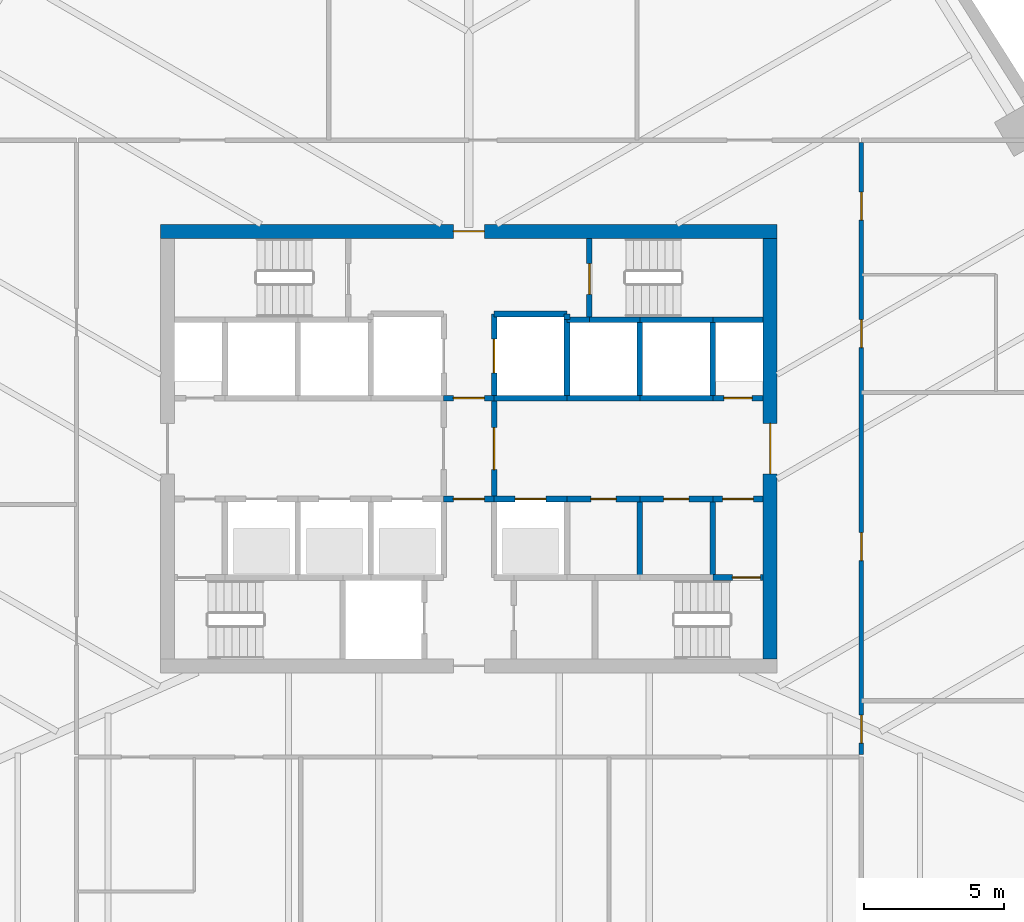
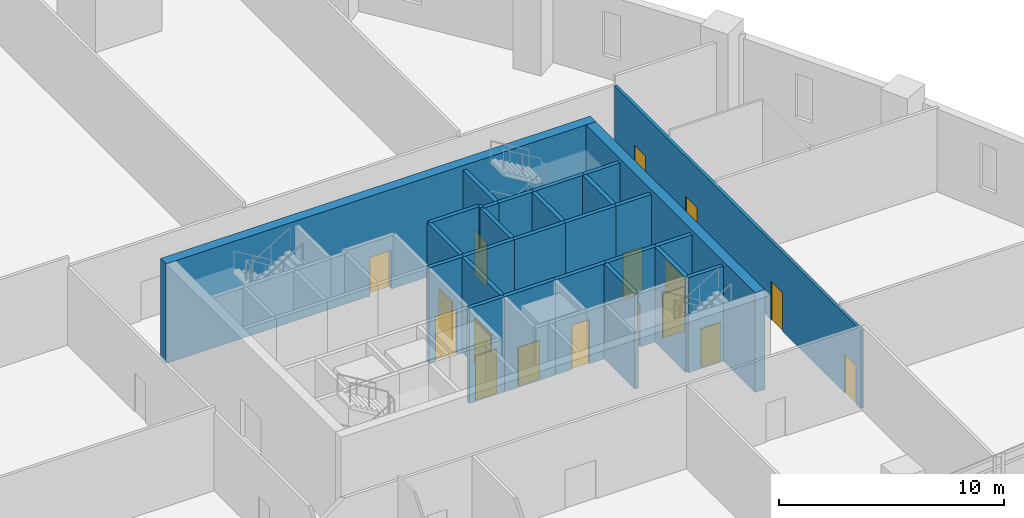
# One storey, part 8 of 14: 28 walls, 17 doors, 17 openings.
"""IFC4 building model written with IfcOpenShell, lengths in metres."""

from ifc_helpers import new_model, si_unit, direction, frame, frame_2d, origin, place, context, subcontext, project, spatial, rectangle, extrude, material, layer, layer_set, type_object, element, fill, save


model = new_model("IFC4")

# Units and contexts
model_context = context("Model", 3, precision=1e-05, world=origin(), true_north=direction((0.0, 1.0)))
body_context = subcontext(model_context, "Body", "Model", "MODEL_VIEW")
ifc_project = project(units=[si_unit("LENGTHUNIT", "METRE"), si_unit("AREAUNIT", "SQUARE_METRE"), si_unit("VOLUMEUNIT", "CUBIC_METRE"), si_unit("PLANEANGLEUNIT", "RADIAN"), si_unit("MASSUNIT", "GRAM", prefix="KILO")], contexts=[model_context])

# Site, building, storey
site_placement = place(None, origin())
site = spatial("IfcSite", under=ifc_project, at=site_placement, CompositionType="ELEMENT")
building_placement = place(site_placement, origin())
building = spatial("IfcBuilding", under=site, at=building_placement, Name="Sierra Prisma Convention Tower", CompositionType="ELEMENT")
storey_placement = place(building_placement, frame((0.0, 0.0, 16.800048828125)))
storey = spatial("IfcBuildingStorey", under=building, at=storey_placement, Name="L02", CompositionType="ELEMENT", Elevation=16.800048828125)

# Wall, opening, door
ifc_material_1 = material(Name="Concrete C30/37", Category="concrete")
ifc_layer_1 = layer(ifc_material_1, 0.199951171875)
ifc_layer_set_1 = layer_set([ifc_layer_1], Name="Core wall RC 200 C30/37")
wall_type_1 = type_object("IfcWallType", Name="Core wall RC 200 C30/37", PredefinedType="SOLIDWALL", material=ifc_layer_set_1)
wall_1_placement = place(storey_placement, frame((-0.89990234375, -1.800048828125, 0.0), z_axis=(0.0, 0.0, 1.0), x_axis=(1.0, 0.0, 0.0)))
wall_1 = element("IfcWall", 1, at=wall_1_placement, inside=storey, type_object=wall_type_1, Name="Core wall L02 32", PredefinedType="SOLIDWALL", context=body_context, shape_type="SweptSolid", body=[
    extrude(rectangle(XDim=1.7998046875, YDim=0.199951171875, at=frame_2d((0.89990234375, 0.0))), origin(), (0.0, 0.0, 1.0), 5.14990234375),
])
opening_1_placement = place(wall_1_placement, frame((0.35009765625, 0.0, 0.0)))
opening_1 = element("IfcOpeningElement", 2, at=opening_1_placement, cuts=wall_1, Name="Opening L02-D013", PredefinedType="OPENING", context=body_context, shape_type="SweptSolid", body=[
    extrude(rectangle(XDim=1.10009765625, YDim=2.39990234375, at=frame_2d((0.550048828125, 1.199951171875))), frame((0.0, 0.10009765625, 0.0), z_axis=(0.0, -1.0, 0.0), x_axis=(1.0, 0.0, 0.0)), (0.0, 0.0, 1.0), 0.199951171875),
])
ifc_material_2 = material(Name="Steel fire door leaf", Category="steel")
door_type_1 = type_object("IfcDoorType", Name="Door 1100x2400 FD30S", OperationType="SINGLE_SWING_LEFT", PredefinedType="DOOR", material=ifc_material_2)
door_1_placement = place(opening_1_placement, origin())
door_1 = element("IfcDoor", 3, at=door_1_placement, inside=storey, type_object=door_type_1, Name="Door L02 26", OperationType="SINGLE_SWING_RIGHT", OverallHeight=2.39990234375, OverallWidth=1.10009765625, PredefinedType="DOOR", context=body_context, shape_type="SweptSolid", body=[
    extrude(rectangle(XDim=1.10009765625, YDim=2.39990234375, at=frame_2d((0.550048828125, 1.199951171875))), frame((0.0, 0.02490234375, 0.0), z_axis=(0.0, -1.0, 0.0), x_axis=(1.0, 0.0, 0.0)), (0.0, 0.0, 1.0), 0.050048828125),
])
fill(opening_1, door_1)

wall_2_placement = place(storey_placement, frame((0.89990234375, 1.800048828125, 0.0), z_axis=(0.0, 0.0, 1.0), x_axis=(-1.0, 0.0, 0.0)))
wall_2 = element("IfcWall", 4, at=wall_2_placement, inside=storey, type_object=wall_type_1, Name="Core wall L02 34", PredefinedType="SOLIDWALL", context=body_context, shape_type="SweptSolid", body=[
    extrude(rectangle(XDim=1.7998046875, YDim=0.199951171875, at=frame_2d((0.89990234375, 0.0))), origin(), (0.0, 0.0, 1.0), 5.14990234375),
])
opening_2_placement = place(wall_2_placement, frame((0.35009765625, 0.0, 0.0)))
opening_2 = element("IfcOpeningElement", 5, at=opening_2_placement, cuts=wall_2, Name="Opening L02-D012", PredefinedType="OPENING", context=body_context, shape_type="SweptSolid", body=[
    extrude(rectangle(XDim=1.10009765625, YDim=2.39990234375, at=frame_2d((0.550048828125, 1.199951171875))), frame((0.0, 0.10009765625, 0.0), z_axis=(0.0, -1.0, 0.0), x_axis=(1.0, 0.0, 0.0)), (0.0, 0.0, 1.0), 0.199951171875),
])
ifc_material_3 = material(Name="Steel fire door leaf", Category="steel")
door_type_2 = type_object("IfcDoorType", Name="Door 1100x2400 FD60S", OperationType="SINGLE_SWING_LEFT", PredefinedType="DOOR", material=ifc_material_3)
door_2_placement = place(opening_2_placement, origin())
door_2 = element("IfcDoor", 6, at=door_2_placement, inside=storey, type_object=door_type_2, Name="Door L02 25", OperationType="SINGLE_SWING_RIGHT", OverallHeight=2.39990234375, OverallWidth=1.10009765625, PredefinedType="DOOR", context=body_context, shape_type="SweptSolid", body=[
    extrude(rectangle(XDim=1.10009765625, YDim=2.39990234375, at=frame_2d((0.550048828125, 1.199951171875))), frame((0.0, 0.02490234375, 0.0), z_axis=(0.0, -1.0, 0.0), x_axis=(1.0, 0.0, 0.0)), (0.0, 0.0, 1.0), 0.050048828125),
])
fill(opening_2, door_2)

wall_3_placement = place(storey_placement, frame((0.89990234375, -1.800048828125, 0.0), z_axis=(0.0, 0.0, 1.0), x_axis=(1.0, 0.0, 0.0)))
wall_3 = element("IfcWall", 7, at=wall_3_placement, inside=storey, type_object=wall_type_1, Name="Core wall L02 35", PredefinedType="SOLIDWALL", context=body_context, shape_type="SweptSolid", body=[
    extrude(rectangle(XDim=2.60009765625, YDim=0.199951171875, at=frame_2d((1.300048828125, 0.0))), origin(), (0.0, 0.0, 1.0), 5.14990234375),
])
opening_3_placement = place(wall_3_placement, frame((0.75, 0.0, 0.0)))
opening_3 = element("IfcOpeningElement", 8, at=opening_3_placement, cuts=wall_3, Name="Opening L02-D004", PredefinedType="OPENING", context=body_context, shape_type="SweptSolid", body=[
    extrude(rectangle(XDim=1.10009765625, YDim=2.10009765625, at=frame_2d((0.550048828125, 1.050048828125))), frame((0.0, 0.10009765625, 0.0), z_axis=(0.0, -1.0, 0.0), x_axis=(1.0, 0.0, 0.0)), (0.0, 0.0, 1.0), 0.199951171875),
])
ifc_material_4 = material(Name="Steel fire door leaf", Category="steel")
door_type_3 = type_object("IfcDoorType", Name="Door 1100x2100 EI 90 sliding lift landing", OperationType="SLIDING_TO_LEFT", PredefinedType="DOOR", material=ifc_material_4)
door_3_placement = place(opening_3_placement, origin())
door_3 = element("IfcDoor", 9, at=door_3_placement, inside=storey, type_object=door_type_3, Name="Door L02 17", OperationType="SLIDING_TO_LEFT", OverallHeight=2.10009765625, OverallWidth=1.10009765625, PredefinedType="DOOR", context=body_context, shape_type="SweptSolid", body=[
    extrude(rectangle(XDim=1.10009765625, YDim=2.10009765625, at=frame_2d((0.550048828125, 1.050048828125))), frame((0.0, 0.02490234375, 0.0), z_axis=(0.0, -1.0, 0.0), x_axis=(1.0, 0.0, 0.0)), (0.0, 0.0, 1.0), 0.050048828125),
])
fill(opening_3, door_3)

wall_4_placement = place(storey_placement, frame((0.89990234375, -1.800048828125, 0.0), z_axis=(0.0, 0.0, 1.0), x_axis=(0.0, 1.0, 0.0)))
wall_4 = element("IfcWall", 10, at=wall_4_placement, inside=storey, type_object=wall_type_1, Name="Core wall L02 36", PredefinedType="SOLIDWALL", context=body_context, shape_type="SweptSolid", body=[
    extrude(rectangle(XDim=3.60009765625, YDim=0.199951171875, at=frame_2d((1.800048828125, 0.0))), origin(), (0.0, 0.0, 1.0), 5.14990234375),
])
opening_4_placement = place(wall_4_placement, frame((1.050048828125, 0.0, 0.0)))
opening_4 = element("IfcOpeningElement", 11, at=opening_4_placement, cuts=wall_4, Name="Opening L02-D009", PredefinedType="OPENING", context=body_context, shape_type="SweptSolid", body=[
    extrude(rectangle(XDim=1.5, YDim=2.39990234375, at=frame_2d((0.75, 1.199951171875))), frame((0.0, 0.10009765625, 0.0), z_axis=(0.0, -1.0, 0.0), x_axis=(1.0, 0.0, 0.0)), (0.0, 0.0, 1.0), 0.199951171875),
])
ifc_material_5 = material(Name="Steel fire door leaf", Category="steel")
door_type_4 = type_object("IfcDoorType", Name="Door 1500x2400 FD30S", OperationType="DOUBLE_DOOR_SINGLE_SWING", PredefinedType="DOOR", material=ifc_material_5)
door_4_placement = place(opening_4_placement, origin())
door_4 = element("IfcDoor", 12, at=door_4_placement, inside=storey, type_object=door_type_4, Name="Door L02 22", OperationType="DOUBLE_DOOR_SINGLE_SWING", OverallHeight=2.39990234375, OverallWidth=1.5, PredefinedType="DOOR", context=body_context, shape_type="SweptSolid", body=[
    extrude(rectangle(XDim=1.5, YDim=2.39990234375, at=frame_2d((0.75, 1.199951171875))), frame((0.0, 0.02490234375, 0.0), z_axis=(0.0, -1.0, 0.0), x_axis=(1.0, 0.0, 0.0)), (0.0, 0.0, 1.0), 0.050048828125),
])
fill(opening_4, door_4)

# Walls
wall_5_placement = place(storey_placement, frame((3.5, 1.800048828125, 0.0), z_axis=(0.0, 0.0, 1.0), x_axis=(-1.0, 0.0, 0.0)))
element("IfcWall", 13, at=wall_5_placement, inside=storey, type_object=wall_type_1, Name="Core wall L02 39", PredefinedType="SOLIDWALL", context=body_context, shape_type="SweptSolid", body=[
    extrude(rectangle(XDim=2.60009765625, YDim=0.199951171875, at=frame_2d((1.300048828125, 0.0))), origin(), (0.0, 0.0, 1.0), 5.14990234375),
])
wall_6_placement = place(storey_placement, frame((3.5, 4.60009765625, 0.0), z_axis=(0.0, 0.0, 1.0), x_axis=(0.0, 1.0, 0.0)))
element("IfcWall", 14, at=wall_6_placement, inside=storey, type_object=wall_type_1, Name="Core wall L02 40", PredefinedType="SOLIDWALL", context=body_context, shape_type="SweptSolid", body=[
    extrude(rectangle(XDim=0.199951171875, YDim=0.199951171875, at=frame_2d((0.10009765625, 0.0))), origin(), (0.0, 0.0, 1.0), 5.14990234375),
])
wall_7_placement = place(storey_placement, frame((3.5, 4.800048828125, 0.0), z_axis=(0.0, 0.0, 1.0), x_axis=(-1.0, 0.0, 0.0)))
element("IfcWall", 15, at=wall_7_placement, inside=storey, type_object=wall_type_1, Name="Core wall L02 41", PredefinedType="SOLIDWALL", context=body_context, shape_type="SweptSolid", body=[
    extrude(rectangle(XDim=2.60009765625, YDim=0.199951171875, at=frame_2d((1.300048828125, 0.0))), origin(), (0.0, 0.0, 1.0), 5.14990234375),
])

# Wall, opening, door
wall_8_placement = place(storey_placement, frame((0.89990234375, 4.800048828125, 0.0), z_axis=(0.0, 0.0, 1.0), x_axis=(0.0, -1.0, 0.0)))
wall_8 = element("IfcWall", 16, at=wall_8_placement, inside=storey, type_object=wall_type_1, Name="Core wall L02 42", PredefinedType="SOLIDWALL", context=body_context, shape_type="SweptSolid", body=[
    extrude(rectangle(XDim=3.0, YDim=0.199951171875, at=frame_2d((1.5, 0.0))), origin(), (0.0, 0.0, 1.0), 5.14990234375),
])
opening_5_placement = place(wall_8_placement, frame((0.89990234375, 0.0, 0.0)))
opening_5 = element("IfcOpeningElement", 17, at=opening_5_placement, cuts=wall_8, Name="Opening L02-D006", PredefinedType="OPENING", context=body_context, shape_type="SweptSolid", body=[
    extrude(rectangle(XDim=1.199951171875, YDim=2.10009765625, at=frame_2d((0.60009765625, 1.050048828125))), frame((0.0, 0.10009765625, 0.0), z_axis=(0.0, -1.0, 0.0), x_axis=(1.0, 0.0, 0.0)), (0.0, 0.0, 1.0), 0.199951171875),
])
ifc_material_6 = material(Name="Steel fire door leaf", Category="steel")
door_type_5 = type_object("IfcDoorType", Name="Door 1200x2100 EI 90 sliding lift landing", OperationType="SLIDING_TO_LEFT", PredefinedType="DOOR", material=ifc_material_6)
door_5_placement = place(opening_5_placement, origin())
door_5 = element("IfcDoor", 18, at=door_5_placement, inside=storey, type_object=door_type_5, Name="Door L02 19", OperationType="SLIDING_TO_RIGHT", OverallHeight=2.10009765625, OverallWidth=1.199951171875, PredefinedType="DOOR", context=body_context, shape_type="SweptSolid", body=[
    extrude(rectangle(XDim=1.199951171875, YDim=2.10009765625, at=frame_2d((0.60009765625, 1.050048828125))), frame((0.0, 0.02490234375, 0.0), z_axis=(0.0, -1.0, 0.0), x_axis=(1.0, 0.0, 0.0)), (0.0, 0.0, 1.0), 0.050048828125),
])
fill(opening_5, door_5)

wall_9_placement = place(storey_placement, frame((6.10009765625, -1.800048828125, 0.0), z_axis=(0.0, 0.0, 1.0), x_axis=(-1.0, 0.0, 0.0)))
wall_9 = element("IfcWall", 19, at=wall_9_placement, inside=storey, type_object=wall_type_1, Name="Core wall L02 47", PredefinedType="SOLIDWALL", context=body_context, shape_type="SweptSolid", body=[
    extrude(rectangle(XDim=2.60009765625, YDim=0.199951171875, at=frame_2d((1.300048828125, 0.0))), origin(), (0.0, 0.0, 1.0), 5.14990234375),
])
opening_6_placement = place(wall_9_placement, frame((0.85009765625, 0.0, 0.0)))
opening_6 = element("IfcOpeningElement", 20, at=opening_6_placement, cuts=wall_9, Name="Opening L02-D020", PredefinedType="OPENING", context=body_context, shape_type="SweptSolid", body=[
    extrude(rectangle(XDim=0.89990234375, YDim=2.39990234375, at=frame_2d((0.449951171875, 1.199951171875))), frame((0.0, 0.10009765625, 0.0), z_axis=(0.0, -1.0, 0.0), x_axis=(1.0, 0.0, 0.0)), (0.0, 0.0, 1.0), 0.199951171875),
])
ifc_material_7 = material(Name="Steel fire door leaf", Category="steel")
door_type_6 = type_object("IfcDoorType", Name="Door 900x2400 FD30S", OperationType="SINGLE_SWING_LEFT", PredefinedType="DOOR", material=ifc_material_7)
door_6_placement = place(opening_6_placement, origin())
door_6 = element("IfcDoor", 21, at=door_6_placement, inside=storey, type_object=door_type_6, Name="Door L02 33", OperationType="SINGLE_SWING_RIGHT", OverallHeight=2.39990234375, OverallWidth=0.89990234375, PredefinedType="DOOR", context=body_context, shape_type="SweptSolid", body=[
    extrude(rectangle(XDim=0.89990234375, YDim=2.39990234375, at=frame_2d((0.449951171875, 1.199951171875))), frame((0.0, 0.02490234375, 0.0), z_axis=(0.0, -1.0, 0.0), x_axis=(1.0, 0.0, 0.0)), (0.0, 0.0, 1.0), 0.050048828125),
])
fill(opening_6, door_6)

# Walls
wall_10_placement = place(storey_placement, frame((6.10009765625, 1.800048828125, 0.0), z_axis=(0.0, 0.0, 1.0), x_axis=(-1.0, 0.0, 0.0)))
element("IfcWall", 22, at=wall_10_placement, inside=storey, type_object=wall_type_1, Name="Core wall L02 48", PredefinedType="SOLIDWALL", context=body_context, shape_type="SweptSolid", body=[
    extrude(rectangle(XDim=2.60009765625, YDim=0.199951171875, at=frame_2d((1.300048828125, 0.0))), origin(), (0.0, 0.0, 1.0), 5.14990234375),
])
wall_11_placement = place(storey_placement, frame((3.5, 1.800048828125, 0.0), z_axis=(0.0, 0.0, 1.0), x_axis=(0.0, 1.0, 0.0)))
element("IfcWall", 23, at=wall_11_placement, inside=storey, type_object=wall_type_1, Name="Core wall L02 49", PredefinedType="SOLIDWALL", context=body_context, shape_type="SweptSolid", body=[
    extrude(rectangle(XDim=2.800048828125, YDim=0.199951171875, at=frame_2d((1.39990234375, 0.0))), origin(), (0.0, 0.0, 1.0), 5.14990234375),
])
wall_12_placement = place(storey_placement, frame((4.300048828125, 4.60009765625, 0.0), z_axis=(0.0, 0.0, 1.0), x_axis=(-1.0, 0.0, 0.0)))
element("IfcWall", 24, at=wall_12_placement, inside=storey, type_object=wall_type_1, Name="Core wall L02 50", PredefinedType="SOLIDWALL", context=body_context, shape_type="SweptSolid", body=[
    extrude(rectangle(XDim=0.800048828125, YDim=0.199951171875, at=frame_2d((0.39990234375, 0.0))), origin(), (0.0, 0.0, 1.0), 5.14990234375),
])
wall_13_placement = place(storey_placement, frame((6.10009765625, 4.60009765625, 0.0), z_axis=(0.0, 0.0, 1.0), x_axis=(-1.0, 0.0, 0.0)))
element("IfcWall", 25, at=wall_13_placement, inside=storey, type_object=wall_type_1, Name="Core wall L02 51", PredefinedType="SOLIDWALL", context=body_context, shape_type="SweptSolid", body=[
    extrude(rectangle(XDim=1.800048828125, YDim=0.199951171875, at=frame_2d((0.89990234375, 0.0))), origin(), (0.0, 0.0, 1.0), 5.14990234375),
])

# Wall, opening, door
wall_14_placement = place(storey_placement, frame((4.300048828125, 7.5, 0.0), z_axis=(0.0, 0.0, 1.0), x_axis=(0.0, -1.0, 0.0)))
wall_14 = element("IfcWall", 26, at=wall_14_placement, inside=storey, type_object=wall_type_1, Name="Core wall L02 52", PredefinedType="SOLIDWALL", context=body_context, shape_type="SweptSolid", body=[
    extrude(rectangle(XDim=2.89990234375, YDim=0.199951171875, at=frame_2d((1.449951171875, 0.0))), origin(), (0.0, 0.0, 1.0), 5.14990234375),
])
opening_7_placement = place(wall_14_placement, frame((0.89990234375, 0.0, 0.0)))
opening_7 = element("IfcOpeningElement", 27, at=opening_7_placement, cuts=wall_14, Name="Opening L02-D019", PredefinedType="OPENING", context=body_context, shape_type="SweptSolid", body=[
    extrude(rectangle(XDim=1.10009765625, YDim=2.39990234375, at=frame_2d((0.550048828125, 1.199951171875))), frame((0.0, 0.10009765625, 0.0), z_axis=(0.0, -1.0, 0.0), x_axis=(1.0, 0.0, 0.0)), (0.0, 0.0, 1.0), 0.199951171875),
])
ifc_material_8 = material(Name="Steel fire door leaf", Category="steel")
door_type_7 = type_object("IfcDoorType", Name="Door 1100x2400 FD90S", OperationType="SINGLE_SWING_LEFT", PredefinedType="DOOR", material=ifc_material_8)
door_7_placement = place(opening_7_placement, origin())
door_7 = element("IfcDoor", 28, at=door_7_placement, inside=storey, type_object=door_type_7, Name="Door L02 32", OperationType="SINGLE_SWING_RIGHT", OverallHeight=2.39990234375, OverallWidth=1.10009765625, PredefinedType="DOOR", context=body_context, shape_type="SweptSolid", body=[
    extrude(rectangle(XDim=1.10009765625, YDim=2.39990234375, at=frame_2d((0.550048828125, 1.199951171875))), frame((0.0, 0.02490234375, 0.0), z_axis=(0.0, -1.0, 0.0), x_axis=(1.0, 0.0, 0.0)), (0.0, 0.0, 1.0), 0.050048828125),
])
fill(opening_7, door_7)

# Wall
wall_15_placement = place(storey_placement, frame((6.10009765625, -4.60009765625, 0.0), z_axis=(0.0, 0.0, 1.0), x_axis=(0.0, 1.0, 0.0)))
element("IfcWall", 29, at=wall_15_placement, inside=storey, type_object=wall_type_1, Name="Core wall L02 56", PredefinedType="SOLIDWALL", context=body_context, shape_type="SweptSolid", body=[
    extrude(rectangle(XDim=2.800048828125, YDim=0.199951171875, at=frame_2d((1.39990234375, 0.0))), origin(), (0.0, 0.0, 1.0), 5.14990234375),
])

# Wall, opening, door
wall_16_placement = place(storey_placement, frame((8.699951171875, -1.800048828125, 0.0), z_axis=(0.0, 0.0, 1.0), x_axis=(-1.0, 0.0, 0.0)))
wall_16 = element("IfcWall", 30, at=wall_16_placement, inside=storey, type_object=wall_type_1, Name="Core wall L02 57", PredefinedType="SOLIDWALL", context=body_context, shape_type="SweptSolid", body=[
    extrude(rectangle(XDim=2.599853515625, YDim=0.199951171875, at=frame_2d((1.2998046875, 0.0))), origin(), (0.0, 0.0, 1.0), 5.14990234375),
])
opening_8_placement = place(wall_16_placement, frame((0.85009765625, 0.0, 0.0)))
opening_8 = element("IfcOpeningElement", 31, at=opening_8_placement, cuts=wall_16, Name="Opening L02-D021", PredefinedType="OPENING", context=body_context, shape_type="SweptSolid", body=[
    extrude(rectangle(XDim=0.89990234375, YDim=2.39990234375, at=frame_2d((0.449951171875, 1.199951171875))), frame((0.0, 0.10009765625, 0.0), z_axis=(0.0, -1.0, 0.0), x_axis=(1.0, 0.0, 0.0)), (0.0, 0.0, 1.0), 0.199951171875),
])
door_8_placement = place(opening_8_placement, origin())
door_8 = element("IfcDoor", 32, at=door_8_placement, inside=storey, type_object=door_type_6, Name="Door L02 34", OperationType="SINGLE_SWING_LEFT", OverallHeight=2.39990234375, OverallWidth=0.89990234375, PredefinedType="DOOR", context=body_context, shape_type="SweptSolid", body=[
    extrude(rectangle(XDim=0.89990234375, YDim=2.39990234375, at=frame_2d((0.449951171875, 1.199951171875))), frame((0.0, 0.02490234375, 0.0), z_axis=(0.0, -1.0, 0.0), x_axis=(1.0, 0.0, 0.0)), (0.0, 0.0, 1.0), 0.050048828125),
])
fill(opening_8, door_8)

# Walls
wall_17_placement = place(storey_placement, frame((8.699951171875, 1.800048828125, 0.0), z_axis=(0.0, 0.0, 1.0), x_axis=(-1.0, 0.0, 0.0)))
element("IfcWall", 33, at=wall_17_placement, inside=storey, type_object=wall_type_1, Name="Core wall L02 58", PredefinedType="SOLIDWALL", context=body_context, shape_type="SweptSolid", body=[
    extrude(rectangle(XDim=2.599853515625, YDim=0.199951171875, at=frame_2d((1.2998046875, 0.0))), origin(), (0.0, 0.0, 1.0), 5.14990234375),
])
wall_18_placement = place(storey_placement, frame((6.10009765625, 1.800048828125, 0.0), z_axis=(0.0, 0.0, 1.0), x_axis=(0.0, 1.0, 0.0)))
element("IfcWall", 34, at=wall_18_placement, inside=storey, type_object=wall_type_1, Name="Core wall L02 59", PredefinedType="SOLIDWALL", context=body_context, shape_type="SweptSolid", body=[
    extrude(rectangle(XDim=2.800048828125, YDim=0.199951171875, at=frame_2d((1.39990234375, 0.0))), origin(), (0.0, 0.0, 1.0), 5.14990234375),
])
wall_19_placement = place(storey_placement, frame((8.699951171875, 4.60009765625, 0.0), z_axis=(0.0, 0.0, 1.0), x_axis=(-1.0, 0.0, 0.0)))
element("IfcWall", 35, at=wall_19_placement, inside=storey, type_object=wall_type_1, Name="Core wall L02 60", PredefinedType="SOLIDWALL", context=body_context, shape_type="SweptSolid", body=[
    extrude(rectangle(XDim=2.599853515625, YDim=0.199951171875, at=frame_2d((1.2998046875, 0.0))), origin(), (0.0, 0.0, 1.0), 5.14990234375),
])

# Wall, opening, door
wall_20_placement = place(storey_placement, frame((8.699951171875, -4.60009765625, 0.0), z_axis=(0.0, 0.0, 1.0), x_axis=(1.0, 0.0, 0.0)))
wall_20 = element("IfcWall", 36, at=wall_20_placement, inside=storey, type_object=wall_type_1, Name="Core wall L02 61", PredefinedType="SOLIDWALL", context=body_context, shape_type="SweptSolid", body=[
    extrude(rectangle(XDim=1.800048828125, YDim=0.199951171875, at=frame_2d((0.89990234375, 0.0))), origin(), (0.0, 0.0, 1.0), 5.14990234375),
])
opening_9_placement = place(wall_20_placement, frame((0.699951171875, 0.0, 0.0)))
opening_9 = element("IfcOpeningElement", 37, at=opening_9_placement, cuts=wall_20, Name="Opening L02-D017", PredefinedType="OPENING", context=body_context, shape_type="SweptSolid", body=[
    extrude(rectangle(XDim=1.0, YDim=2.10009765625, at=frame_2d((0.5, 1.050048828125))), frame((0.0, 0.10009765625, 0.0), z_axis=(0.0, -1.0, 0.0), x_axis=(1.0, 0.0, 0.0)), (0.0, 0.0, 1.0), 0.199951171875),
])
ifc_material_9 = material(Name="Steel fire door leaf", Category="steel")
door_type_8 = type_object("IfcDoorType", Name="Door 1000x2100 FD90S", OperationType="SINGLE_SWING_LEFT", PredefinedType="DOOR", material=ifc_material_9)
door_9_placement = place(opening_9_placement, origin())
door_9 = element("IfcDoor", 38, at=door_9_placement, inside=storey, type_object=door_type_8, Name="Door L02 30", OperationType="SINGLE_SWING_RIGHT", OverallHeight=2.10009765625, OverallWidth=1.0, PredefinedType="DOOR", context=body_context, shape_type="SweptSolid", body=[
    extrude(rectangle(XDim=1.0, YDim=2.10009765625, at=frame_2d((0.5, 1.050048828125))), frame((0.0, 0.02490234375, 0.0), z_axis=(0.0, -1.0, 0.0), x_axis=(1.0, 0.0, 0.0)), (0.0, 0.0, 1.0), 0.050048828125),
])
fill(opening_9, door_9)

# Wall
wall_21_placement = place(storey_placement, frame((8.699951171875, -4.60009765625, 0.0), z_axis=(0.0, 0.0, 1.0), x_axis=(0.0, 1.0, 0.0)))
element("IfcWall", 39, at=wall_21_placement, inside=storey, type_object=wall_type_1, Name="Core wall L02 62", PredefinedType="SOLIDWALL", context=body_context, shape_type="SweptSolid", body=[
    extrude(rectangle(XDim=2.800048828125, YDim=0.199951171875, at=frame_2d((1.39990234375, 0.0))), origin(), (0.0, 0.0, 1.0), 5.14990234375),
])

# Wall, opening, door
wall_22_placement = place(storey_placement, frame((8.699951171875, -1.800048828125, 0.0), z_axis=(0.0, 0.0, 1.0), x_axis=(1.0, 0.0, 0.0)))
wall_22 = element("IfcWall", 40, at=wall_22_placement, inside=storey, type_object=wall_type_1, Name="Core wall L02 63", PredefinedType="SOLIDWALL", context=body_context, shape_type="SweptSolid", body=[
    extrude(rectangle(XDim=1.800048828125, YDim=0.199951171875, at=frame_2d((0.89990234375, 0.0))), origin(), (0.0, 0.0, 1.0), 5.14990234375),
])
opening_10_placement = place(wall_22_placement, frame((0.35009765625, 0.0, 0.0)))
opening_10 = element("IfcOpeningElement", 41, at=opening_10_placement, cuts=wall_22, Name="Opening L02-D011", PredefinedType="OPENING", context=body_context, shape_type="SweptSolid", body=[
    extrude(rectangle(XDim=1.10009765625, YDim=2.39990234375, at=frame_2d((0.550048828125, 1.199951171875))), frame((0.0, 0.10009765625, 0.0), z_axis=(0.0, -1.0, 0.0), x_axis=(1.0, 0.0, 0.0)), (0.0, 0.0, 1.0), 0.199951171875),
])
door_10_placement = place(opening_10_placement, origin())
door_10 = element("IfcDoor", 42, at=door_10_placement, inside=storey, type_object=door_type_7, Name="Door L02 24", OperationType="SINGLE_SWING_LEFT", OverallHeight=2.39990234375, OverallWidth=1.10009765625, PredefinedType="DOOR", context=body_context, shape_type="SweptSolid", body=[
    extrude(rectangle(XDim=1.10009765625, YDim=2.39990234375, at=frame_2d((0.550048828125, 1.199951171875))), frame((0.0, 0.02490234375, 0.0), z_axis=(0.0, -1.0, 0.0), x_axis=(1.0, 0.0, 0.0)), (0.0, 0.0, 1.0), 0.050048828125),
])
fill(opening_10, door_10)

wall_23_placement = place(storey_placement, frame((10.5, 1.800048828125, 0.0), z_axis=(0.0, 0.0, 1.0), x_axis=(-1.0, 0.0, 0.0)))
wall_23 = element("IfcWall", 43, at=wall_23_placement, inside=storey, type_object=wall_type_1, Name="Core wall L02 64", PredefinedType="SOLIDWALL", context=body_context, shape_type="SweptSolid", body=[
    extrude(rectangle(XDim=1.800048828125, YDim=0.199951171875, at=frame_2d((0.89990234375, 0.0))), origin(), (0.0, 0.0, 1.0), 5.14990234375),
])
opening_11_placement = place(wall_23_placement, frame((0.39990234375, 0.0, 0.0)))
opening_11 = element("IfcOpeningElement", 44, at=opening_11_placement, cuts=wall_23, Name="Opening L02-D015", PredefinedType="OPENING", context=body_context, shape_type="SweptSolid", body=[
    extrude(rectangle(XDim=1.0, YDim=2.39990234375, at=frame_2d((0.5, 1.199951171875))), frame((0.0, 0.10009765625, 0.0), z_axis=(0.0, -1.0, 0.0), x_axis=(1.0, 0.0, 0.0)), (0.0, 0.0, 1.0), 0.199951171875),
])
ifc_material_10 = material(Name="Steel fire door leaf", Category="steel")
door_type_9 = type_object("IfcDoorType", Name="Door 1000x2400 FD60S", OperationType="SINGLE_SWING_LEFT", PredefinedType="DOOR", material=ifc_material_10)
door_11_placement = place(opening_11_placement, origin())
door_11 = element("IfcDoor", 45, at=door_11_placement, inside=storey, type_object=door_type_9, Name="Door L02 28", OperationType="SINGLE_SWING_LEFT", OverallHeight=2.39990234375, OverallWidth=1.0, PredefinedType="DOOR", context=body_context, shape_type="SweptSolid", body=[
    extrude(rectangle(XDim=1.0, YDim=2.39990234375, at=frame_2d((0.5, 1.199951171875))), frame((0.0, 0.02490234375, 0.0), z_axis=(0.0, -1.0, 0.0), x_axis=(1.0, 0.0, 0.0)), (0.0, 0.0, 1.0), 0.050048828125),
])
fill(opening_11, door_11)

# Walls
wall_24_placement = place(storey_placement, frame((8.699951171875, 4.60009765625, 0.0), z_axis=(0.0, 0.0, 1.0), x_axis=(0.0, -1.0, 0.0)))
element("IfcWall", 46, at=wall_24_placement, inside=storey, type_object=wall_type_1, Name="Core wall L02 65", PredefinedType="SOLIDWALL", context=body_context, shape_type="SweptSolid", body=[
    extrude(rectangle(XDim=2.800048828125, YDim=0.199951171875, at=frame_2d((1.39990234375, 0.0))), origin(), (0.0, 0.0, 1.0), 5.14990234375),
])
wall_25_placement = place(storey_placement, frame((10.5, 4.60009765625, 0.0), z_axis=(0.0, 0.0, 1.0), x_axis=(-1.0, 0.0, 0.0)))
element("IfcWall", 47, at=wall_25_placement, inside=storey, type_object=wall_type_1, Name="Core wall L02 66", PredefinedType="SOLIDWALL", context=body_context, shape_type="SweptSolid", body=[
    extrude(rectangle(XDim=1.800048828125, YDim=0.199951171875, at=frame_2d((0.89990234375, 0.0))), origin(), (0.0, 0.0, 1.0), 5.14990234375),
])

# Wall, opening, door
ifc_material_11 = material(Name="Concrete C70/85", Category="concrete")
ifc_layer_2 = layer(ifc_material_11, 0.5)
ifc_layer_set_2 = layer_set([ifc_layer_2], Name="Core wall RC 500 C70/85")
wall_type_2 = type_object("IfcWallType", Name="Core wall RC 500 C70/85", PredefinedType="SHEAR", material=ifc_layer_set_2)
wall_26_placement = place(storey_placement, frame((-11.0, 7.75, 0.0), z_axis=(0.0, 0.0, 1.0), x_axis=(1.0, 0.0, 0.0)))
wall_26 = element("IfcWall", 48, at=wall_26_placement, inside=storey, type_object=wall_type_2, Name="Core wall N L02", PredefinedType="SHEAR", context=body_context, shape_type="SweptSolid", body=[
    extrude(rectangle(XDim=22.0, YDim=0.5, at=frame_2d((11.0, 0.0))), origin(), (0.0, 0.0, 1.0), 5.39990234375),
])
opening_12_placement = place(wall_26_placement, frame((10.449951171875, 0.0, 0.0)))
opening_12 = element("IfcOpeningElement", 49, at=opening_12_placement, cuts=wall_26, Name="Opening L02-D037", PredefinedType="OPENING", context=body_context, shape_type="SweptSolid", body=[
    extrude(rectangle(XDim=1.10009765625, YDim=2.10009765625, at=frame_2d((0.550048828125, 1.050048828125))), frame((0.0, 0.25, 0.0), z_axis=(0.0, -1.0, 0.0), x_axis=(1.0, 0.0, 0.0)), (0.0, 0.0, 1.0), 0.5),
])
ifc_material_12 = material(Name="Steel fire door leaf", Category="steel")
door_type_10 = type_object("IfcDoorType", Name="Door 1100x2100 FD60S", OperationType="SINGLE_SWING_LEFT", PredefinedType="DOOR", material=ifc_material_12)
door_12_placement = place(opening_12_placement, origin())
door_12 = element("IfcDoor", 50, at=door_12_placement, inside=storey, type_object=door_type_10, Name="Door L02 38", OperationType="SINGLE_SWING_LEFT", OverallHeight=2.10009765625, OverallWidth=1.10009765625, PredefinedType="DOOR", context=body_context, shape_type="SweptSolid", body=[
    extrude(rectangle(XDim=1.10009765625, YDim=2.10009765625, at=frame_2d((0.550048828125, 1.050048828125))), frame((0.0, 0.02490234375, 0.0), z_axis=(0.0, -1.0, 0.0), x_axis=(1.0, 0.0, 0.0)), (0.0, 0.0, 1.0), 0.050048828125),
])
fill(opening_12, door_12)

wall_27_placement = place(storey_placement, frame((10.75, -7.5, 0.0), z_axis=(0.0, 0.0, 1.0), x_axis=(0.0, 1.0, 0.0)))
wall_27 = element("IfcWall", 51, at=wall_27_placement, inside=storey, type_object=wall_type_2, Name="Core wall E L02", PredefinedType="SHEAR", context=body_context, shape_type="SweptSolid", body=[
    extrude(rectangle(XDim=15.0, YDim=0.5, at=frame_2d((7.5, 0.0))), origin(), (0.0, 0.0, 1.0), 5.39990234375),
])
opening_13_placement = place(wall_27_placement, frame((6.60009765625, 0.0, 0.0)))
opening_13 = element("IfcOpeningElement", 52, at=opening_13_placement, cuts=wall_27, Name="Opening L02-D036", PredefinedType="OPENING", context=body_context, shape_type="SweptSolid", body=[
    extrude(rectangle(XDim=1.800048828125, YDim=2.10009765625, at=frame_2d((0.89990234375, 1.050048828125))), frame((0.0, 0.25, 0.0), z_axis=(0.0, -1.0, 0.0), x_axis=(1.0, 0.0, 0.0)), (0.0, 0.0, 1.0), 0.5),
])
ifc_material_13 = material(Name="Steel fire door leaf", Category="steel")
door_type_11 = type_object("IfcDoorType", Name="Door 1800x2100 FD60S", OperationType="DOUBLE_DOOR_SINGLE_SWING", PredefinedType="DOOR", material=ifc_material_13)
door_13_placement = place(opening_13_placement, origin())
door_13 = element("IfcDoor", 53, at=door_13_placement, inside=storey, type_object=door_type_11, Name="Door L02 37", OperationType="DOUBLE_DOOR_SINGLE_SWING", OverallHeight=2.10009765625, OverallWidth=1.800048828125, PredefinedType="DOOR", context=body_context, shape_type="SweptSolid", body=[
    extrude(rectangle(XDim=1.800048828125, YDim=2.10009765625, at=frame_2d((0.89990234375, 1.050048828125))), frame((0.0, 0.02490234375, 0.0), z_axis=(0.0, -1.0, 0.0), x_axis=(1.0, 0.0, 0.0)), (0.0, 0.0, 1.0), 0.050048828125),
])
fill(opening_13, door_13)

# Wall, openings, doors
ifc_material_14 = material(Name="Gypsum board partition", Category="gypsum")
ifc_layer_3 = layer(ifc_material_14, 0.14990234375)
ifc_layer_set_3 = layer_set([ifc_layer_3], Name="Corridor wall 150 gypsum EI 60")
wall_type_3 = type_object("IfcWallType", Name="Corridor wall 150 gypsum EI 60", PredefinedType="PARTITIONING", material=ifc_layer_set_3)
wall_28_placement = place(storey_placement, frame((14.0, -10.919921875, 0.0), z_axis=(0.0, 0.0, 1.0), x_axis=(0.0, 1.0, 0.0)))
wall_28 = element("IfcWall", 54, at=wall_28_placement, inside=storey, type_object=wall_type_3, Name="Partition L02 corr 4", PredefinedType="PARTITIONING", context=body_context, shape_type="SweptSolid", body=[
    extrude(rectangle(XDim=21.83984375, YDim=0.14990234375, at=frame_2d((10.919921875, 0.0))), origin(), (0.0, 0.0, 1.0), 4.2470703125),
])
opening_14_placement = place(wall_28_placement, frame((14.52001953125, 0.0, 0.0)))
opening_14 = element("IfcOpeningElement", 55, at=opening_14_placement, cuts=wall_28, Name="Opening L02-D023", PredefinedType="OPENING", context=body_context, shape_type="SweptSolid", body=[
    extrude(rectangle(XDim=1.0, YDim=2.10009765625, at=frame_2d((0.5, 1.050048828125))), frame((0.0, 0.074951171875, 0.0), z_axis=(0.0, -1.0, 0.0), x_axis=(1.0, 0.0, 0.0)), (0.0, 0.0, 1.0), 0.14990234375),
])
opening_15_placement = place(wall_28_placement, frame((19.070068359375, 0.0, 0.0)))
opening_15 = element("IfcOpeningElement", 56, at=opening_15_placement, cuts=wall_28, Name="Opening L02-D024", PredefinedType="OPENING", context=body_context, shape_type="SweptSolid", body=[
    extrude(rectangle(XDim=1.0, YDim=2.10009765625, at=frame_2d((0.5, 1.050048828125))), frame((0.0, 0.074951171875, 0.0), z_axis=(0.0, -1.0, 0.0), x_axis=(1.0, 0.0, 0.0)), (0.0, 0.0, 1.0), 0.14990234375),
])
opening_16_placement = place(wall_28_placement, frame((0.409912109375, 0.0, 0.0)))
opening_16 = element("IfcOpeningElement", 57, at=opening_16_placement, cuts=wall_28, Name="Opening L02-D034", PredefinedType="OPENING", context=body_context, shape_type="SweptSolid", body=[
    extrude(rectangle(XDim=1.0, YDim=2.10009765625, at=frame_2d((0.5, 1.050048828125))), frame((0.0, 0.074951171875, 0.0), z_axis=(0.0, -1.0, 0.0), x_axis=(1.0, 0.0, 0.0)), (0.0, 0.0, 1.0), 0.14990234375),
])
opening_17_placement = place(wall_28_placement, frame((6.919921875, 0.0, 0.0)))
opening_17 = element("IfcOpeningElement", 58, at=opening_17_placement, cuts=wall_28, Name="Opening L02-D035", PredefinedType="OPENING", context=body_context, shape_type="SweptSolid", body=[
    extrude(rectangle(XDim=1.0, YDim=2.10009765625, at=frame_2d((0.5, 1.050048828125))), frame((0.0, 0.074951171875, 0.0), z_axis=(0.0, -1.0, 0.0), x_axis=(1.0, 0.0, 0.0)), (0.0, 0.0, 1.0), 0.14990234375),
])
ifc_material_15 = material(Name="Steel fire door leaf", Category="steel")
door_type_12 = type_object("IfcDoorType", Name="Door 1000x2100 FD30S", OperationType="SINGLE_SWING_LEFT", PredefinedType="DOOR", material=ifc_material_15)
door_14_placement = place(opening_14_placement, origin())
door_14 = element("IfcDoor", 59, at=door_14_placement, inside=storey, type_object=door_type_12, Name="Door L02 1", OperationType="SINGLE_SWING_RIGHT", OverallHeight=2.10009765625, OverallWidth=1.0, PredefinedType="DOOR", context=body_context, shape_type="SweptSolid", body=[
    extrude(rectangle(XDim=1.0, YDim=2.10009765625, at=frame_2d((0.5, 1.050048828125))), frame((0.0, 0.02490234375, 0.0), z_axis=(0.0, -1.0, 0.0), x_axis=(1.0, 0.0, 0.0)), (0.0, 0.0, 1.0), 0.050048828125),
])
fill(opening_14, door_14)
door_15_placement = place(opening_15_placement, origin())
door_15 = element("IfcDoor", 60, at=door_15_placement, inside=storey, type_object=door_type_12, Name="Door L02 2", OperationType="SINGLE_SWING_LEFT", OverallHeight=2.10009765625, OverallWidth=1.0, PredefinedType="DOOR", context=body_context, shape_type="SweptSolid", body=[
    extrude(rectangle(XDim=1.0, YDim=2.10009765625, at=frame_2d((0.5, 1.050048828125))), frame((0.0, 0.02490234375, 0.0), z_axis=(0.0, -1.0, 0.0), x_axis=(1.0, 0.0, 0.0)), (0.0, 0.0, 1.0), 0.050048828125),
])
fill(opening_15, door_15)
door_16_placement = place(opening_16_placement, origin())
door_16 = element("IfcDoor", 61, at=door_16_placement, inside=storey, type_object=door_type_12, Name="Door L02 12", OperationType="SINGLE_SWING_LEFT", OverallHeight=2.10009765625, OverallWidth=1.0, PredefinedType="DOOR", context=body_context, shape_type="SweptSolid", body=[
    extrude(rectangle(XDim=1.0, YDim=2.10009765625, at=frame_2d((0.5, 1.050048828125))), frame((0.0, 0.02490234375, 0.0), z_axis=(0.0, -1.0, 0.0), x_axis=(1.0, 0.0, 0.0)), (0.0, 0.0, 1.0), 0.050048828125),
])
fill(opening_16, door_16)
door_17_placement = place(opening_17_placement, origin())
door_17 = element("IfcDoor", 62, at=door_17_placement, inside=storey, type_object=door_type_12, Name="Door L02 13", OperationType="SINGLE_SWING_LEFT", OverallHeight=2.10009765625, OverallWidth=1.0, PredefinedType="DOOR", context=body_context, shape_type="SweptSolid", body=[
    extrude(rectangle(XDim=1.0, YDim=2.10009765625, at=frame_2d((0.5, 1.050048828125))), frame((0.0, 0.02490234375, 0.0), z_axis=(0.0, -1.0, 0.0), x_axis=(1.0, 0.0, 0.0)), (0.0, 0.0, 1.0), 0.050048828125),
])
fill(opening_17, door_17)

save(model, "model.ifc")
